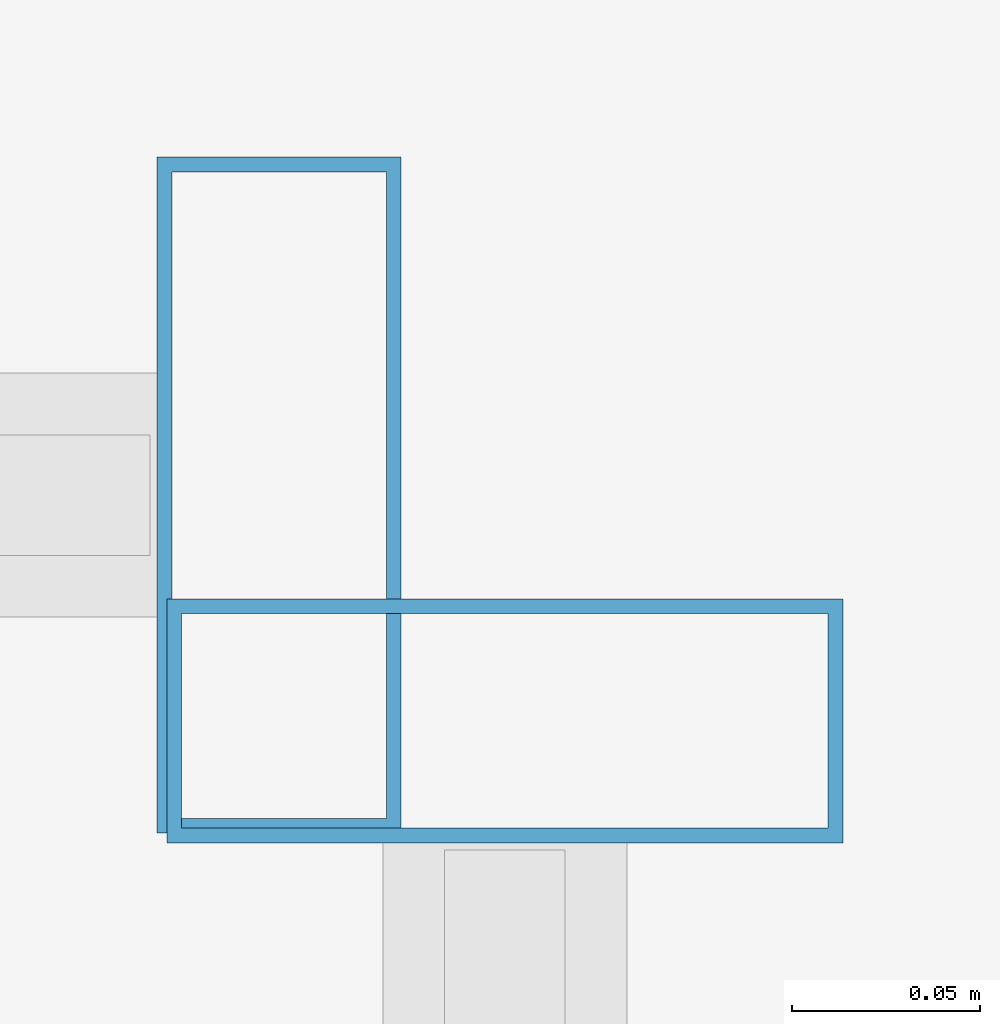
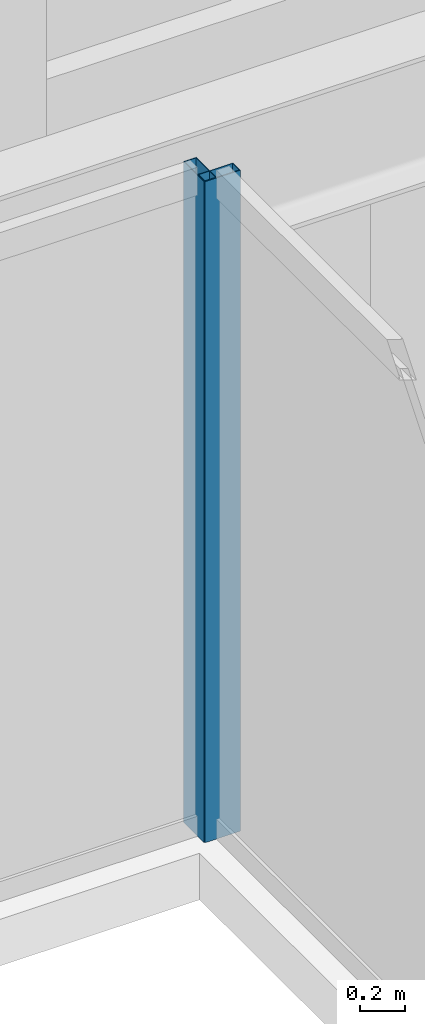
# One storey, part 13 of 36: 2 members, 2 elements without a shape of their own.
"""IFC4 building model written with IfcOpenShell, lengths in metres."""

from ifc_helpers import new_model, si_unit, direction, frame, origin, origin_2d, place, context, subcontext, project, spatial, hollow_rectangle, extrude, material, material_profile, profile_set, type_object, element, aggregate, save


model = new_model("IFC4")

# Units and contexts
model_context = context("Model", 3, precision=1e-05, world=origin(), true_north=direction((0.0, 1.0)))
body_context = subcontext(model_context, "Body", "Model", "MODEL_VIEW")
ifc_project = project(units=[si_unit("LENGTHUNIT", "METRE"), si_unit("AREAUNIT", "SQUARE_METRE"), si_unit("VOLUMEUNIT", "CUBIC_METRE"), si_unit("PLANEANGLEUNIT", "RADIAN"), si_unit("MASSUNIT", "GRAM", prefix="KILO")], contexts=[model_context])

# Site, building, storey
site_placement = place(None, origin())
site = spatial("IfcSite", under=ifc_project, at=site_placement, CompositionType="ELEMENT")
building_placement = place(site_placement, origin())
building = spatial("IfcBuilding", under=site, at=building_placement, Name="Saevonmaru Cultural Tower", CompositionType="ELEMENT")
storey_placement = place(building_placement, frame((0.0, 0.0, 148.60009765625)))
storey = spatial("IfcBuildingStorey", under=building, at=storey_placement, Name="L32", CompositionType="ELEMENT", Elevation=148.60009765625)

# Curtain wall, member
ifc_material = material(Name="Satin Bronze Anodised Aluminium", Category="aluminium")
curtain_wall_type = type_object("IfcCurtainWallType", Name="CW-ATR-GLZ", PredefinedType="NOTDEFINED", material=ifc_material)
curtain_wall_1_placement = place(storey_placement, origin())
curtain_wall_1 = element("IfcCurtainWall", 1, at=curtain_wall_1_placement, inside=storey, type_object=curtain_wall_type, Name="L32 Vertical Atrium Glazed Smoke Screen 2", PredefinedType="NOTDEFINED")
ifc_material_profile = material_profile(ifc_material, hollow_rectangle(XDim=0.06494140625, YDim=0.179931640625, WallThickness=0.00390625, at=origin_2d()), Name="ALU-MULL-180x65x4")
ifc_profile_set = profile_set([ifc_material_profile], Name="Satin Bronze Anodised Aluminium")
member_type = type_object("IfcMemberType", Name="ML-CW-INT-180x65", PredefinedType="MULLION", material=ifc_profile_set)
member_1_placement = place(storey_placement, frame((35.949951171875, 37.2099609375, 0.0), z_axis=(0.0, 0.0, 1.0), x_axis=(0.0, 1.0, 0.0)))
member_1 = element("IfcMember", 2, at=member_1_placement, type_object=member_type, Name="CW-ATR-L32-2 mullion 2", PredefinedType="MULLION", context=body_context, shape_type="SweptSolid", body=[
    extrude(hollow_rectangle(XDim=0.06494140625, YDim=0.179931640625, WallThickness=0.00390625, at=origin_2d()), origin(), (0.0, 0.0, 1.0), 3.5498046875),
])
aggregate(curtain_wall_1, [member_1])

curtain_wall_2_placement = place(storey_placement, origin())
curtain_wall_2 = element("IfcCurtainWall", 3, at=curtain_wall_2_placement, inside=storey, type_object=curtain_wall_type, Name="L32 Vertical Atrium Glazed Smoke Screen 3", PredefinedType="NOTDEFINED")
member_2_placement = place(storey_placement, frame((35.889892578125, 37.27001953125, 0.0), z_axis=(0.0, 0.0, 1.0), x_axis=(-1.0, 0.0, 0.0)))
member_2 = element("IfcMember", 4, at=member_2_placement, type_object=member_type, Name="CW-ATR-L32-3 mullion 1", PredefinedType="MULLION", context=body_context, shape_type="SweptSolid", body=[
    extrude(hollow_rectangle(XDim=0.06494140625, YDim=0.179931640625, WallThickness=0.00390625, at=origin_2d()), origin(), (0.0, 0.0, 1.0), 3.5498046875),
])
aggregate(curtain_wall_2, [member_2])

save(model, "model.ifc")
